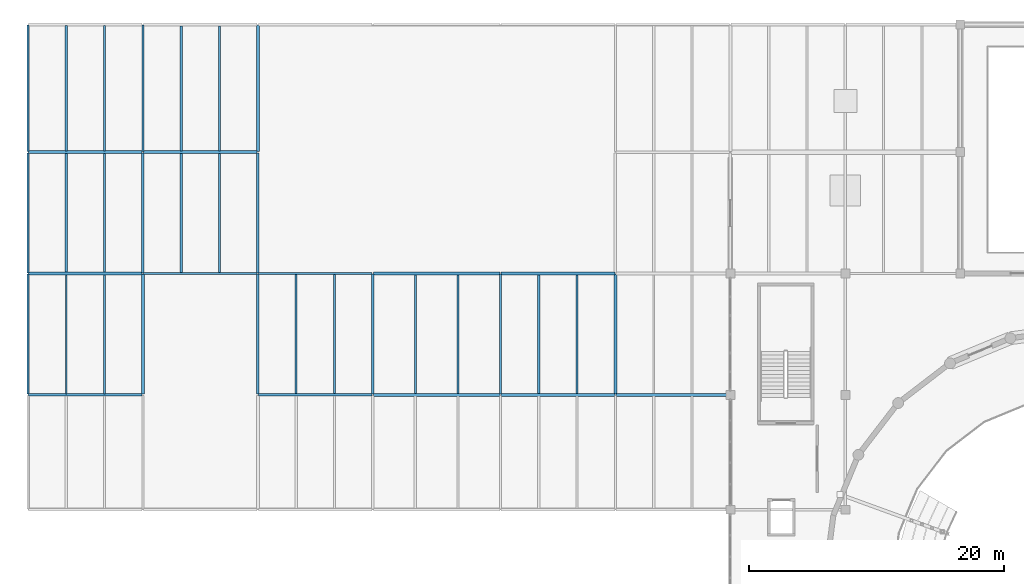
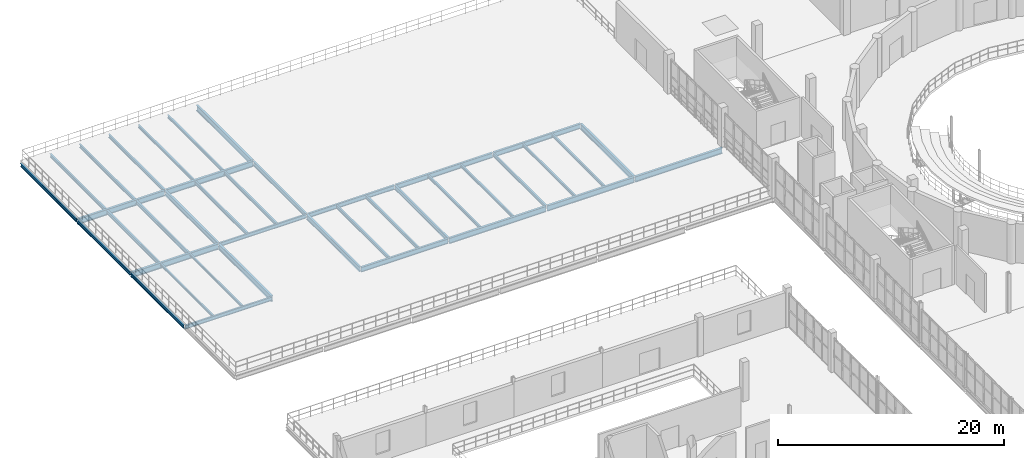
# One storey, part 34 of 73: 40 beams.
"""IFC4 building model written with IfcOpenShell, lengths in metres."""

import ifcopenshell
import ifcopenshell.guid

model = None  # the IFC model being written
_history = None  # IfcOwnerHistory: only IFC2X3 demands one
_inside = {}  # id of a spatial element -> (the spatial element, [elements in it])
_under = {}  # id of a project, library or spatial element -> (it, [spatial elements below it])
_declared = {}  # id of a project -> (the project, [libraries it declares])
_typed = {}  # id of a type object -> (the type object, [elements of that type])
_made_of = {}  # id of a material, layer set ... -> (it, [elements and type objects made of it])


def new_model(schema):
    """Start an empty IFC model of exactly this schema.

    Asked for "IFC4X3", IfcOpenShell would pick the latest addendum, in which some entities
    have other attributes; the version numbers below select the first issue.
    IFC2X3 requires an IfcOwnerHistory on every rooted entity: one is made here for all.
    """
    global model, _history
    if schema == "IFC4X3":
        model = ifcopenshell.file(schema_version=(4, 3, 0, 0))
    else:
        model = ifcopenshell.file(schema=schema)
    _inside.clear()
    _under.clear()
    _declared.clear()
    _typed.clear()
    _made_of.clear()
    _history = None
    if model.schema == "IFC2X3":
        org = make("IfcOrganization", Name="unknown")
        user = make(
            "IfcPersonAndOrganization",
            ThePerson=make("IfcPerson", FamilyName="unknown"),
            TheOrganization=org,
        )
        app = make(
            "IfcApplication",
            ApplicationDeveloper=org,
            Version="unknown",
            ApplicationFullName="unknown",
            ApplicationIdentifier="unknown",
        )
        _history = make(
            "IfcOwnerHistory",
            OwningUser=user,
            OwningApplication=app,
            ChangeAction="ADDED",
            CreationDate=0,
        )
    return model


def make(cls, **values):
    """One entity of the class cls with the attributes given. An attribute that is None is left unset."""
    return model.create_entity(
        cls, **{name: value for name, value in values.items() if value is not None}
    )


def rooted(cls, **values):
    """An entity with a GlobalId (a new one), such as an element, a storey or a relation."""
    return make(cls, GlobalId=ifcopenshell.guid.new(), OwnerHistory=_history, **values)


def si_unit(unit_type, name, prefix=None):
    """IfcSIUnit, for example si_unit("LENGTHUNIT", "METRE", prefix="MILLI")."""
    return make("IfcSIUnit", UnitType=unit_type, Prefix=prefix, Name=name)


def assignment(units):
    """IfcUnitAssignment: the units of a project."""
    return None if units is None else make("IfcUnitAssignment", Units=units)


def point(xyz):
    """IfcCartesianPoint."""
    return None if xyz is None else make("IfcCartesianPoint", Coordinates=xyz)


def direction(xyz):
    """IfcDirection."""
    return None if xyz is None else make("IfcDirection", DirectionRatios=xyz)


def frame(location, z_axis=None, x_axis=None):
    """IfcAxis2Placement3D, a coordinate frame: its origin and axes. An axis left out is left unset."""
    return make(
        "IfcAxis2Placement3D",
        Location=point(location),
        Axis=direction(z_axis),
        RefDirection=direction(x_axis),
    )


def frame_2d(location, x_axis=None):
    """IfcAxis2Placement2D, a coordinate frame in the plane: its origin and x axis."""
    return make(
        "IfcAxis2Placement2D", Location=point(location), RefDirection=direction(x_axis)
    )


def origin():
    """The frame at (0, 0, 0) with its axes left unset."""
    return frame((0.0, 0.0, 0.0))


def origin_2d():
    """The frame at (0, 0) in the plane with its x axis left unset."""
    return frame_2d((0.0, 0.0))


def place(relative_to, where):
    """IfcLocalPlacement: puts the frame where relative to a parent placement (None: the world)."""
    return make(
        "IfcLocalPlacement", PlacementRelTo=relative_to, RelativePlacement=where
    )


def context(
    kind, dimensions, precision=None, world=None, true_north=None, identifier=None
):
    """IfcGeometricRepresentationContext, for example the 3D "Model" context."""
    return make(
        "IfcGeometricRepresentationContext",
        ContextIdentifier=identifier,
        ContextType=kind,
        CoordinateSpaceDimension=dimensions,
        Precision=precision,
        WorldCoordinateSystem=world,
        TrueNorth=true_north,
    )


def subcontext(parent, identifier, kind, view, scale=None):
    """IfcGeometricRepresentationSubContext, for example "Body" below "Model"."""
    return make(
        "IfcGeometricRepresentationSubContext",
        ContextIdentifier=identifier,
        ContextType=kind,
        ParentContext=parent,
        TargetScale=scale,
        TargetView=view,
    )


def project(units=None, contexts=None):
    """IfcProject with its units and contexts."""
    return rooted(
        "IfcProject",
        Name="project",
        RepresentationContexts=contexts,
        UnitsInContext=assignment(units),
    )


def spatial(cls, under=None, at=None, **own):
    """A site, building, storey or space (cls), placed at a placement, below another one or the project."""
    s = rooted(cls, ObjectPlacement=at, **own)
    if under is not None:
        _under.setdefault(under.id(), (under, []))[1].append(s)
    return s


def profile(cls, at=None, kind="AREA", **sizes):
    """A parametric profile (cls). Its sizes go by their IFC names, for example OverallWidth=200.0."""
    return make(cls, ProfileType=kind, Position=at, **sizes)


def i_section(**sizes):
    """IfcIShapeProfileDef."""
    return profile("IfcIShapeProfileDef", **sizes)


def extrude(swept, where, along, depth):
    """IfcExtrudedAreaSolid: the profile swept, set in the frame where, extruded along a direction by depth."""
    return make(
        "IfcExtrudedAreaSolid",
        SweptArea=swept,
        Position=where,
        ExtrudedDirection=direction(along),
        Depth=depth,
    )


def shape(context_of_items, identifier, shape_type, items):
    """IfcShapeRepresentation: the items that make up one representation, for example the "Body"."""
    return make(
        "IfcShapeRepresentation",
        ContextOfItems=context_of_items,
        RepresentationIdentifier=identifier,
        RepresentationType=shape_type,
        Items=items,
    )


def material(Name=None, Category=None):
    """IfcMaterial."""
    return make("IfcMaterial", Name=Name, Category=Category)


def material_profile(
    of_material, cross_section, Name=None, Category=None, Priority=None
):
    """IfcMaterialProfile: a cross section and its material."""
    return make(
        "IfcMaterialProfile",
        Name=Name,
        Material=of_material,
        Profile=cross_section,
        Priority=Priority,
        Category=Category,
    )


def profile_set(profiles, Name=None, composite=None):
    """IfcMaterialProfileSet."""
    return make(
        "IfcMaterialProfileSet",
        Name=Name,
        MaterialProfiles=profiles,
        CompositeProfile=composite,
    )


def made_of(thing, what):
    """Note that an element or type object is made of a material, layer set ...; save() writes the relation."""
    if what is not None:
        _made_of.setdefault(what.id(), (what, []))[1].append(thing)
    return thing


def type_object(cls, material=None, **own):
    """A type object (cls), such as IfcWallType, which elements share."""
    return made_of(rooted(cls, **own), material)


def element(
    cls,
    number,
    at=None,
    inside=None,
    cuts=None,
    type_object=None,
    material=None,
    context=None,
    identifier="Body",
    shape_type=None,
    held_by="IfcProductDefinitionShape",
    body=None,
    shapes=None,
    **own,
):
    """One element of the class cls, such as IfcWall. Its Tag is "e" and its number.

    at: its placement. inside: the storey or other place that contains it. cuts: it is an
    opening in that element (IfcRelVoidsElement). A single representation is given by context,
    identifier, shape_type and body (its items); several are given by shapes. held_by: the class
    of the entity that holds the representations. save() writes the other relations.
    """
    e = rooted(cls, Tag="e%d" % number, ObjectPlacement=at, **own)
    if body is not None:
        shapes = [shape(context, identifier, shape_type, body)]
    if shapes is not None:
        e.Representation = make(held_by, Representations=shapes)
    if inside is not None:
        _inside.setdefault(inside.id(), (inside, []))[1].append(e)
    if cuts is not None:
        rooted(
            "IfcRelVoidsElement", RelatingBuildingElement=cuts, RelatedOpeningElement=e
        )
    if type_object is not None:
        _typed.setdefault(type_object.id(), (type_object, []))[1].append(e)
    return made_of(e, material)


def aggregate(whole, parts):
    """IfcRelAggregates: a whole, such as a stair, and the parts it consists of."""
    return rooted("IfcRelAggregates", RelatingObject=whole, RelatedObjects=parts)


def save(model, path):
    """Write the relations noted so far, then the file.

    IfcRelAggregates (storeys below a building ...), IfcRelContainedInSpatialStructure (elements
    in a storey), IfcRelDefinesByType, IfcRelAssociatesMaterial and IfcRelDeclares: one each for
    every whole, place, type object, material and project.
    """
    for whole, parts in _under.values():
        aggregate(whole, parts)
    for where, things in _inside.values():
        rooted(
            "IfcRelContainedInSpatialStructure",
            RelatedElements=things,
            RelatingStructure=where,
        )
    for kind, things in _typed.values():
        rooted("IfcRelDefinesByType", RelatedObjects=things, RelatingType=kind)
    for what, things in _made_of.values():
        rooted("IfcRelAssociatesMaterial", RelatedObjects=things, RelatingMaterial=what)
    for by, libraries in _declared.values():
        rooted("IfcRelDeclares", RelatingContext=by, RelatedDefinitions=libraries)
    model.write(path)


model = new_model("IFC4")

# Units and contexts
model_context = context("Model", 3, precision=1e-05, world=origin(), true_north=direction((0.0, 1.0)))
body_context = subcontext(model_context, "Body", "Model", "MODEL_VIEW")
ifc_project = project(units=[si_unit("LENGTHUNIT", "METRE"), si_unit("AREAUNIT", "SQUARE_METRE"), si_unit("VOLUMEUNIT", "CUBIC_METRE"), si_unit("PLANEANGLEUNIT", "RADIAN"), si_unit("MASSUNIT", "GRAM", prefix="KILO")], contexts=[model_context])

# Site, building, storey
site_placement = place(None, origin())
site = spatial("IfcSite", under=ifc_project, at=site_placement, CompositionType="ELEMENT")
building_placement = place(site_placement, origin())
building = spatial("IfcBuilding", under=site, at=building_placement, Name="Marnock Terrace Opera House", CompositionType="ELEMENT")
storey_placement = place(building_placement, frame((0.0, 0.0, 14.699951171875)))
storey = spatial("IfcBuildingStorey", under=building, at=storey_placement, Name="L03", CompositionType="ELEMENT", Elevation=14.699951171875)

# Beams
ifc_material = material(Name="Steel Grade 350 (AS/NZS 3679.1)", Category="steel")
ifc_material_profile_1 = material_profile(ifc_material, i_section(OverallWidth=0.1708984375, OverallDepth=0.355712890625, WebThickness=0.00732421875, FlangeThickness=0.011474609375, FilletRadius=0.011474609375, at=origin_2d()))
ifc_profile_set_1 = profile_set([ifc_material_profile_1], Name="Steel Grade 350 (AS/NZS 3679.1)")
beam_type_1 = type_object("IfcBeamType", Name="BM-GIRD-360", PredefinedType="BEAM", material=ifc_profile_set_1)
beam_1_placement = place(storey_placement, frame((9.0, 94.050048828125, -0.44775390625), z_axis=(0.0, 1.0, 0.0), x_axis=(-1.0, 0.0, 0.0)))
element("IfcBeam", 1, at=beam_1_placement, inside=storey, type_object=beam_type_1, Name="L03 girder (X=9.0, 94.0..104.0)", PredefinedType="BEAM", context=body_context, shape_type="SweptSolid", body=[
    extrude(i_section(OverallWidth=0.1708984375, OverallDepth=0.355712890625, WebThickness=0.00732421875, FlangeThickness=0.011474609375, FilletRadius=0.011474609375, at=origin_2d()), origin(), (0.0, 0.0, 1.0), 9.89990234375),
])
beam_2_placement = place(storey_placement, frame((37.0, 75.050048828125, -0.44775390625), z_axis=(0.0, 1.0, 0.0), x_axis=(-1.0, 0.0, 0.0)))
element("IfcBeam", 2, at=beam_2_placement, inside=storey, type_object=beam_type_1, Name="L03 girder (X=37.0, 75.0..84.5)", PredefinedType="BEAM", context=body_context, shape_type="SweptSolid", body=[
    extrude(i_section(OverallWidth=0.1708984375, OverallDepth=0.355712890625, WebThickness=0.00732421875, FlangeThickness=0.011474609375, FilletRadius=0.011474609375, at=origin_2d()), origin(), (0.0, 0.0, 1.0), 9.39990234375),
])
ifc_material_profile_2 = material_profile(ifc_material, i_section(OverallWidth=0.177978515625, OverallDepth=0.402587890625, WebThickness=0.007568359375, FlangeThickness=0.010986328125, FilletRadius=0.011474609375, at=origin_2d()))
ifc_profile_set_2 = profile_set([ifc_material_profile_2], Name="Steel Grade 350 (AS/NZS 3679.1)")
beam_type_2 = type_object("IfcBeamType", Name="BM-GIRD-410", PredefinedType="BEAM", material=ifc_profile_set_2)
for number, where, z_axis, x_axis, name in (
    (3, (0.050048828125, 75.0, -0.47119140625), (1.0, 0.0, 0.0), (0.0, 1.0, 0.0), "L03 girder (0.0..9.0, Y=75.0)"),
    (4, (9.050048828125, 84.5, -0.47119140625), (1.0, 0.0, 0.0), (0.0, 1.0, 0.0), "L03 girder (9.0..18.0, Y=84.5)"),
):
    element("IfcBeam", number, at=place(storey_placement, frame(where, z_axis=z_axis, x_axis=x_axis)), inside=storey, type_object=beam_type_2, Name=name, PredefinedType="BEAM", context=body_context, shape_type="SweptSolid", body=[
        extrude(i_section(OverallWidth=0.177978515625, OverallDepth=0.402587890625, WebThickness=0.007568359375, FlangeThickness=0.010986328125, FilletRadius=0.011474609375, at=origin_2d()), origin(), (0.0, 0.0, 1.0), 8.89990234375),
    ])
ifc_material_profile_3 = material_profile(ifc_material, i_section(OverallWidth=0.19091796875, OverallDepth=0.46044921875, WebThickness=0.010009765625, FlangeThickness=0.01611328125, FilletRadius=0.011474609375, at=origin_2d()))
ifc_profile_set_3 = profile_set([ifc_material_profile_3], Name="Steel Grade 350 (AS/NZS 3679.1)")
beam_type_3 = type_object("IfcBeamType", Name="BM-GIRD-460A", PredefinedType="BEAM", material=ifc_profile_set_3)
beam_3_placement = place(storey_placement, frame((18.050048828125, 84.5, -0.500244140625), z_axis=(1.0, 0.0, 0.0), x_axis=(0.0, 1.0, 0.0)))
element("IfcBeam", 5, at=beam_3_placement, inside=storey, type_object=beam_type_3, Name="L03 girder (18.0..27.0, Y=84.5)", PredefinedType="BEAM", context=body_context, shape_type="SweptSolid", body=[
    extrude(i_section(OverallWidth=0.19091796875, OverallDepth=0.46044921875, WebThickness=0.010009765625, FlangeThickness=0.01611328125, FilletRadius=0.011474609375, at=origin_2d()), origin(), (0.0, 0.0, 1.0), 8.89990234375),
])
ifc_material_profile_4 = material_profile(ifc_material, i_section(OverallWidth=0.18994140625, OverallDepth=0.45751953125, WebThickness=0.009033203125, FlangeThickness=0.014404296875, FilletRadius=0.011474609375, at=origin_2d()))
ifc_profile_set_4 = profile_set([ifc_material_profile_4], Name="Steel Grade 350 (AS/NZS 3679.1)")
beam_type_4 = type_object("IfcBeamType", Name="BM-GIRD-460B", PredefinedType="BEAM", material=ifc_profile_set_4)
for number, where, z_axis, x_axis, name in (
    (6, (18.0, 84.550048828125, -0.49853515625), (0.0, 1.0, 0.0), (-1.0, 0.0, 0.0), "L03 girder (X=18.0, 84.5..94.0)"),
    (7, (27.0, 75.050048828125, -0.49853515625), (0.0, 1.0, 0.0), (-1.0, 0.0, 0.0), "L03 girder (X=27.0, 75.0..84.5)"),
):
    element("IfcBeam", number, at=place(storey_placement, frame(where, z_axis=z_axis, x_axis=x_axis)), inside=storey, type_object=beam_type_4, Name=name, PredefinedType="BEAM", context=body_context, shape_type="SweptSolid", body=[
        extrude(i_section(OverallWidth=0.18994140625, OverallDepth=0.45751953125, WebThickness=0.009033203125, FlangeThickness=0.014404296875, FilletRadius=0.011474609375, at=origin_2d()), origin(), (0.0, 0.0, 1.0), 9.39990234375),
    ])
ifc_material_profile_5 = material_profile(ifc_material, i_section(OverallWidth=0.208984375, OverallDepth=0.532958984375, WebThickness=0.01025390625, FlangeThickness=0.015625, FilletRadius=0.013916015625, at=origin_2d()))
ifc_profile_set_5 = profile_set([ifc_material_profile_5], Name="Steel Grade 350 (AS/NZS 3679.1)")
beam_type_5 = type_object("IfcBeamType", Name="BM-GIRD-530A", PredefinedType="BEAM", material=ifc_profile_set_5)
beam_4_placement = place(storey_placement, frame((18.050048828125, 75.0, -0.536376953125), z_axis=(1.0, 0.0, 0.0), x_axis=(0.0, 1.0, 0.0)))
element("IfcBeam", 8, at=beam_4_placement, inside=storey, type_object=beam_type_5, Name="L03 girder (18.0..27.0, Y=75.0)", PredefinedType="BEAM", context=body_context, shape_type="SweptSolid", body=[
    extrude(i_section(OverallWidth=0.208984375, OverallDepth=0.532958984375, WebThickness=0.01025390625, FlangeThickness=0.015625, FilletRadius=0.013916015625, at=origin_2d()), origin(), (0.0, 0.0, 1.0), 8.89990234375),
])
beam_5_placement = place(storey_placement, frame((27.050048828125, 84.5, -0.536376953125), z_axis=(1.0, 0.0, 0.0), x_axis=(0.0, 1.0, 0.0)))
element("IfcBeam", 9, at=beam_5_placement, inside=storey, type_object=beam_type_5, Name="L03 girder (27.0..37.0, Y=84.5)", PredefinedType="BEAM", context=body_context, shape_type="SweptSolid", body=[
    extrude(i_section(OverallWidth=0.208984375, OverallDepth=0.532958984375, WebThickness=0.01025390625, FlangeThickness=0.015625, FilletRadius=0.013916015625, at=origin_2d()), origin(), (0.0, 0.0, 1.0), 9.89990234375),
])
beam_6_placement = place(storey_placement, frame((37.050048828125, 84.5, -0.536376953125), z_axis=(1.0, 0.0, 0.0), x_axis=(0.0, 1.0, 0.0)))
element("IfcBeam", 10, at=beam_6_placement, inside=storey, type_object=beam_type_5, Name="L03 girder (37.0..46.0, Y=84.5)", PredefinedType="BEAM", context=body_context, shape_type="SweptSolid", body=[
    extrude(i_section(OverallWidth=0.208984375, OverallDepth=0.532958984375, WebThickness=0.01025390625, FlangeThickness=0.015625, FilletRadius=0.013916015625, at=origin_2d()), origin(), (0.0, 0.0, 1.0), 8.89990234375),
])
ifc_material_profile_6 = material_profile(ifc_material, i_section(OverallWidth=0.208984375, OverallDepth=0.528076171875, WebThickness=0.009521484375, FlangeThickness=0.01318359375, FilletRadius=0.013916015625, at=origin_2d()))
ifc_profile_set_6 = profile_set([ifc_material_profile_6], Name="Steel Grade 350 (AS/NZS 3679.1)")
beam_type_6 = type_object("IfcBeamType", Name="BM-GIRD-530B", PredefinedType="BEAM", material=ifc_profile_set_6)
for number, where, z_axis, x_axis, name in (
    (11, (9.0, 84.550048828125, -0.533935546875), (0.0, 1.0, 0.0), (-1.0, 0.0, 0.0), "L03 girder (X=9.0, 84.5..94.0)"),
    (12, (18.0, 75.050048828125, -0.533935546875), (0.0, 1.0, 0.0), (-1.0, 0.0, 0.0), "L03 girder (X=18.0, 75.0..84.5)"),
):
    element("IfcBeam", number, at=place(storey_placement, frame(where, z_axis=z_axis, x_axis=x_axis)), inside=storey, type_object=beam_type_6, Name=name, PredefinedType="BEAM", context=body_context, shape_type="SweptSolid", body=[
        extrude(i_section(OverallWidth=0.208984375, OverallDepth=0.528076171875, WebThickness=0.009521484375, FlangeThickness=0.01318359375, FilletRadius=0.013916015625, at=origin_2d()), origin(), (0.0, 0.0, 1.0), 9.39990234375),
    ])
ifc_material_profile_7 = material_profile(ifc_material, i_section(OverallWidth=0.22900390625, OverallDepth=0.611572265625, WebThickness=0.011962890625, FlangeThickness=0.01953125, FilletRadius=0.013916015625, at=origin_2d()))
ifc_profile_set_7 = profile_set([ifc_material_profile_7], Name="Steel Grade 350 (AS/NZS 3679.1)")
beam_type_7 = type_object("IfcBeamType", Name="BM-GIRD-610A", PredefinedType="BEAM", material=ifc_profile_set_7)
for number, where, z_axis, x_axis, name in (
    (13, (46.050048828125, 75.0, -0.57568359375), (1.0, 0.0, 0.0), (0.0, 1.0, 0.0), "L03 girder (46.0..55.0, Y=75.0)"),
    (14, (0.050048828125, 84.5, -0.57568359375), (1.0, 0.0, 0.0), (0.0, 1.0, 0.0), "L03 girder (0.0..9.0, Y=84.5)"),
    (15, (9.050048828125, 94.0, -0.57568359375), (1.0, 0.0, 0.0), (0.0, 1.0, 0.0), "L03 girder (9.0..18.0, Y=94.0)"),
):
    element("IfcBeam", number, at=place(storey_placement, frame(where, z_axis=z_axis, x_axis=x_axis)), inside=storey, type_object=beam_type_7, Name=name, PredefinedType="BEAM", context=body_context, shape_type="SweptSolid", body=[
        extrude(i_section(OverallWidth=0.22900390625, OverallDepth=0.611572265625, WebThickness=0.011962890625, FlangeThickness=0.01953125, FilletRadius=0.013916015625, at=origin_2d()), origin(), (0.0, 0.0, 1.0), 8.89990234375),
    ])
ifc_material_profile_8 = material_profile(ifc_material, i_section(OverallWidth=0.22802734375, OverallDepth=0.60693359375, WebThickness=0.01123046875, FlangeThickness=0.017333984375, FilletRadius=0.013916015625, at=origin_2d()))
ifc_profile_set_8 = profile_set([ifc_material_profile_8], Name="Steel Grade 350 (AS/NZS 3679.1)")
beam_type_8 = type_object("IfcBeamType", Name="BM-GIRD-610B", PredefinedType="BEAM", material=ifc_profile_set_8)
beam_7_placement = place(storey_placement, frame((27.050048828125, 75.0, -0.573486328125), z_axis=(1.0, 0.0, 0.0), x_axis=(0.0, 1.0, 0.0)))
element("IfcBeam", 16, at=beam_7_placement, inside=storey, type_object=beam_type_8, Name="L03 girder (27.0..37.0, Y=75.0)", PredefinedType="BEAM", context=body_context, shape_type="SweptSolid", body=[
    extrude(i_section(OverallWidth=0.22802734375, OverallDepth=0.60693359375, WebThickness=0.01123046875, FlangeThickness=0.017333984375, FilletRadius=0.013916015625, at=origin_2d()), origin(), (0.0, 0.0, 1.0), 9.89990234375),
])
for number, where, z_axis, x_axis, name in (
    (17, (37.050048828125, 75.0, -0.573486328125), (1.0, 0.0, 0.0), (0.0, 1.0, 0.0), "L03 girder (37.0..46.0, Y=75.0)"),
    (18, (0.050048828125, 94.0, -0.573486328125), (1.0, 0.0, 0.0), (0.0, 1.0, 0.0), "L03 girder (0.0..9.0, Y=94.0)"),
):
    element("IfcBeam", number, at=place(storey_placement, frame(where, z_axis=z_axis, x_axis=x_axis)), inside=storey, type_object=beam_type_8, Name=name, PredefinedType="BEAM", context=body_context, shape_type="SweptSolid", body=[
        extrude(i_section(OverallWidth=0.22802734375, OverallDepth=0.60693359375, WebThickness=0.01123046875, FlangeThickness=0.017333984375, FilletRadius=0.013916015625, at=origin_2d()), origin(), (0.0, 0.0, 1.0), 8.89990234375),
    ])
ifc_material_profile_9 = material_profile(ifc_material, i_section(OverallWidth=0.22802734375, OverallDepth=0.60205078125, WebThickness=0.010498046875, FlangeThickness=0.014892578125, FilletRadius=0.013916015625, at=origin_2d()))
ifc_profile_set_9 = profile_set([ifc_material_profile_9], Name="Steel Grade 350 (AS/NZS 3679.1)")
beam_type_9 = type_object("IfcBeamType", Name="BM-GIRD-610C", PredefinedType="BEAM", material=ifc_profile_set_9)
beam_8_placement = place(storey_placement, frame((9.0, 75.050048828125, -0.571044921875), z_axis=(0.0, 1.0, 0.0), x_axis=(-1.0, 0.0, 0.0)))
element("IfcBeam", 19, at=beam_8_placement, inside=storey, type_object=beam_type_9, Name="L03 girder (X=9.0, 75.0..84.5)", PredefinedType="BEAM", context=body_context, shape_type="SweptSolid", body=[
    extrude(i_section(OverallWidth=0.22802734375, OverallDepth=0.60205078125, WebThickness=0.010498046875, FlangeThickness=0.014892578125, FilletRadius=0.013916015625, at=origin_2d()), origin(), (0.0, 0.0, 1.0), 9.39990234375),
])
beam_9_placement = place(storey_placement, frame((18.0, 94.050048828125, -0.571044921875), z_axis=(0.0, 1.0, 0.0), x_axis=(-1.0, 0.0, 0.0)))
element("IfcBeam", 20, at=beam_9_placement, inside=storey, type_object=beam_type_9, Name="L03 girder (X=18.0, 94.0..104.0)", PredefinedType="BEAM", context=body_context, shape_type="SweptSolid", body=[
    extrude(i_section(OverallWidth=0.22802734375, OverallDepth=0.60205078125, WebThickness=0.010498046875, FlangeThickness=0.014892578125, FilletRadius=0.013916015625, at=origin_2d()), origin(), (0.0, 0.0, 1.0), 9.89990234375),
])
beam_10_placement = place(storey_placement, frame((46.0, 75.050048828125, -0.571044921875), z_axis=(0.0, 1.0, 0.0), x_axis=(-1.0, 0.0, 0.0)))
element("IfcBeam", 21, at=beam_10_placement, inside=storey, type_object=beam_type_9, Name="L03 girder (X=46.0, 75.0..84.5)", PredefinedType="BEAM", context=body_context, shape_type="SweptSolid", body=[
    extrude(i_section(OverallWidth=0.22802734375, OverallDepth=0.60205078125, WebThickness=0.010498046875, FlangeThickness=0.014892578125, FilletRadius=0.013916015625, at=origin_2d()), origin(), (0.0, 0.0, 1.0), 9.39990234375),
])
ifc_material_profile_10 = material_profile(ifc_material, i_section(OverallWidth=0.14599609375, OverallDepth=0.256103515625, WebThickness=0.00634765625, FlangeThickness=0.010986328125, FilletRadius=0.0087890625, at=origin_2d()))
ifc_profile_set_10 = profile_set([ifc_material_profile_10], Name="Steel Grade 350 (AS/NZS 3679.1)")
beam_type_10 = type_object("IfcBeamType", Name="BM-JOIST-250", PredefinedType="JOIST", material=ifc_profile_set_10)
for number, where, z_axis, x_axis, name in (
    (22, (3.0, 75.083984375, -0.39794921875), (0.0, 1.0, 0.0), (-1.0, 0.0, 0.0), "L03 secondary joist 0.9.1"),
    (23, (6.0, 75.083984375, -0.39794921875), (0.0, 1.0, 0.0), (-1.0, 0.0, 0.0), "L03 secondary joist 0.9.2"),
):
    element("IfcBeam", number, at=place(storey_placement, frame(where, z_axis=z_axis, x_axis=x_axis)), inside=storey, type_object=beam_type_10, Name=name, PredefinedType="JOIST", context=body_context, shape_type="SweptSolid", body=[
        extrude(i_section(OverallWidth=0.14599609375, OverallDepth=0.256103515625, WebThickness=0.00634765625, FlangeThickness=0.010986328125, FilletRadius=0.0087890625, at=origin_2d()), origin(), (0.0, 0.0, 1.0), 9.306396484375),
    ])
ifc_material_profile_11 = material_profile(ifc_material, i_section(OverallWidth=0.166015625, OverallDepth=0.30712890625, WebThickness=0.006591796875, FlangeThickness=0.01171875, FilletRadius=0.011474609375, at=origin_2d()))
ifc_profile_set_11 = profile_set([ifc_material_profile_11], Name="Steel Grade 350 (AS/NZS 3679.1)")
beam_type_11 = type_object("IfcBeamType", Name="BM-JOIST-310A", PredefinedType="JOIST", material=ifc_profile_set_11)
for number, where, z_axis, x_axis, name in (
    (24, (12.0, 94.109619140625, -0.423583984375), (0.0, 1.0, 0.0), (-1.0, 0.0, 0.0), "L03 secondary joist 1.11.1"),
    (25, (15.0, 94.109619140625, -0.423583984375), (0.0, 1.0, 0.0), (-1.0, 0.0, 0.0), "L03 secondary joist 1.11.2"),
):
    element("IfcBeam", number, at=place(storey_placement, frame(where, z_axis=z_axis, x_axis=x_axis)), inside=storey, type_object=beam_type_11, Name=name, PredefinedType="JOIST", context=body_context, shape_type="SweptSolid", body=[
        extrude(i_section(OverallWidth=0.166015625, OverallDepth=0.30712890625, WebThickness=0.006591796875, FlangeThickness=0.01171875, FilletRadius=0.011474609375, at=origin_2d()), origin(), (0.0, 0.0, 1.0), 9.781494140625),
    ])
for number, where, z_axis, x_axis, name in (
    (26, (30.333251953125, 75.10888671875, -0.423583984375), (0.0, 1.0, 0.0), (-1.0, 0.0, 0.0), "L03 secondary joist 3.9.1"),
    (27, (33.666748046875, 75.10888671875, -0.423583984375), (0.0, 1.0, 0.0), (-1.0, 0.0, 0.0), "L03 secondary joist 3.9.2"),
):
    element("IfcBeam", number, at=place(storey_placement, frame(where, z_axis=z_axis, x_axis=x_axis)), inside=storey, type_object=beam_type_11, Name=name, PredefinedType="JOIST", context=body_context, shape_type="SweptSolid", body=[
        extrude(i_section(OverallWidth=0.166015625, OverallDepth=0.30712890625, WebThickness=0.006591796875, FlangeThickness=0.01171875, FilletRadius=0.011474609375, at=origin_2d()), origin(), (0.0, 0.0, 1.0), 9.29150390625),
    ])
ifc_material_profile_12 = material_profile(ifc_material, i_section(OverallWidth=0.1650390625, OverallDepth=0.3037109375, WebThickness=0.006103515625, FlangeThickness=0.01025390625, FilletRadius=0.011474609375, at=origin_2d()))
ifc_profile_set_12 = profile_set([ifc_material_profile_12], Name="Steel Grade 350 (AS/NZS 3679.1)")
beam_type_12 = type_object("IfcBeamType", Name="BM-JOIST-310B", PredefinedType="JOIST", material=ifc_profile_set_12)
for number, where, z_axis, x_axis, name in (
    (28, (40.0, 75.10888671875, -0.421875), (0.0, 1.0, 0.0), (-1.0, 0.0, 0.0), "L03 secondary joist 4.9.1"),
    (29, (43.0, 75.10888671875, -0.421875), (0.0, 1.0, 0.0), (-1.0, 0.0, 0.0), "L03 secondary joist 4.9.2"),
):
    element("IfcBeam", number, at=place(storey_placement, frame(where, z_axis=z_axis, x_axis=x_axis)), inside=storey, type_object=beam_type_12, Name=name, PredefinedType="JOIST", context=body_context, shape_type="SweptSolid", body=[
        extrude(i_section(OverallWidth=0.1650390625, OverallDepth=0.3037109375, WebThickness=0.006103515625, FlangeThickness=0.01025390625, FilletRadius=0.011474609375, at=origin_2d()), origin(), (0.0, 0.0, 1.0), 9.29150390625),
    ])
ifc_material_profile_13 = material_profile(ifc_material, i_section(OverallWidth=0.172119140625, OverallDepth=0.358642578125, WebThickness=0.008056640625, FlangeThickness=0.012939453125, FilletRadius=0.011474609375, at=origin_2d()))
ifc_profile_set_13 = profile_set([ifc_material_profile_13], Name="Steel Grade 350 (AS/NZS 3679.1)")
beam_type_13 = type_object("IfcBeamType", Name="BM-JOIST-360", PredefinedType="JOIST", material=ifc_profile_set_13)
for number, where, z_axis, x_axis, name in (
    (30, (3.0, 94.10888671875, -0.44921875), (0.0, 1.0, 0.0), (-1.0, 0.0, 0.0), "L03 secondary joist 0.11.1"),
    (31, (6.0, 94.10888671875, -0.44921875), (0.0, 1.0, 0.0), (-1.0, 0.0, 0.0), "L03 secondary joist 0.11.2"),
):
    element("IfcBeam", number, at=place(storey_placement, frame(where, z_axis=z_axis, x_axis=x_axis)), inside=storey, type_object=beam_type_13, Name=name, PredefinedType="JOIST", context=body_context, shape_type="SweptSolid", body=[
        extrude(i_section(OverallWidth=0.172119140625, OverallDepth=0.358642578125, WebThickness=0.008056640625, FlangeThickness=0.012939453125, FilletRadius=0.011474609375, at=origin_2d()), origin(), (0.0, 0.0, 1.0), 9.79150390625),
    ])
for number, where, z_axis, x_axis, name in (
    (32, (12.0, 84.583984375, -0.44921875), (0.0, 1.0, 0.0), (-1.0, 0.0, 0.0), "L03 secondary joist 1.10.1"),
    (33, (15.0, 84.583984375, -0.44921875), (0.0, 1.0, 0.0), (-1.0, 0.0, 0.0), "L03 secondary joist 1.10.2"),
):
    element("IfcBeam", number, at=place(storey_placement, frame(where, z_axis=z_axis, x_axis=x_axis)), inside=storey, type_object=beam_type_13, Name=name, PredefinedType="JOIST", context=body_context, shape_type="SweptSolid", body=[
        extrude(i_section(OverallWidth=0.172119140625, OverallDepth=0.358642578125, WebThickness=0.008056640625, FlangeThickness=0.012939453125, FilletRadius=0.011474609375, at=origin_2d()), origin(), (0.0, 0.0, 1.0), 9.306396484375),
    ])
for number, where, z_axis, x_axis, name in (
    (34, (21.0, 75.099609375, -0.44921875), (0.0, 1.0, 0.0), (-1.0, 0.0, 0.0), "L03 secondary joist 2.9.1"),
    (35, (24.0, 75.099609375, -0.44921875), (0.0, 1.0, 0.0), (-1.0, 0.0, 0.0), "L03 secondary joist 2.9.2"),
):
    element("IfcBeam", number, at=place(storey_placement, frame(where, z_axis=z_axis, x_axis=x_axis)), inside=storey, type_object=beam_type_13, Name=name, PredefinedType="JOIST", context=body_context, shape_type="SweptSolid", body=[
        extrude(i_section(OverallWidth=0.172119140625, OverallDepth=0.358642578125, WebThickness=0.008056640625, FlangeThickness=0.012939453125, FilletRadius=0.011474609375, at=origin_2d()), origin(), (0.0, 0.0, 1.0), 9.309814453125),
    ])
ifc_material_profile_14 = material_profile(ifc_material, i_section(OverallWidth=0.177978515625, OverallDepth=0.406494140625, WebThickness=0.0078125, FlangeThickness=0.0126953125, FilletRadius=0.011474609375, at=origin_2d()))
ifc_profile_set_14 = profile_set([ifc_material_profile_14], Name="Steel Grade 350 (AS/NZS 3679.1)")
beam_type_14 = type_object("IfcBeamType", Name="BM-JOIST-410", PredefinedType="JOIST", material=ifc_profile_set_14)
for number, where, z_axis, x_axis, name in (
    (36, (3.0, 84.609619140625, -0.47314453125), (0.0, 1.0, 0.0), (-1.0, 0.0, 0.0), "L03 secondary joist 0.10.1"),
    (37, (6.0, 84.609619140625, -0.47314453125), (0.0, 1.0, 0.0), (-1.0, 0.0, 0.0), "L03 secondary joist 0.10.2"),
):
    element("IfcBeam", number, at=place(storey_placement, frame(where, z_axis=z_axis, x_axis=x_axis)), inside=storey, type_object=beam_type_14, Name=name, PredefinedType="JOIST", context=body_context, shape_type="SweptSolid", body=[
        extrude(i_section(OverallWidth=0.177978515625, OverallDepth=0.406494140625, WebThickness=0.0078125, FlangeThickness=0.0126953125, FilletRadius=0.011474609375, at=origin_2d()), origin(), (0.0, 0.0, 1.0), 9.281494140625),
    ])
ifc_material_profile_15 = material_profile(ifc_material, i_section(OverallWidth=0.172119140625, OverallDepth=0.358642578125, WebThickness=0.008056640625, FlangeThickness=0.012939453125, FilletRadius=0.011474609375, at=origin_2d()))
ifc_profile_set_15 = profile_set([ifc_material_profile_15], Name="Steel Grade 350 (AS/NZS 3679.1)")
beam_type_15 = type_object("IfcBeamType", Name="BM-SPAN-360", PredefinedType="SPANDREL", material=ifc_profile_set_15)
for number, where, z_axis, x_axis, name in (
    (38, (0.0, 75.050048828125, -0.44921875), (0.0, 1.0, 0.0), (-1.0, 0.0, 0.0), "L03 girder (X=0.0, 75.0..84.5)"),
    (39, (0.0, 84.550048828125, -0.44921875), (0.0, 1.0, 0.0), (-1.0, 0.0, 0.0), "L03 girder (X=0.0, 84.5..94.0)"),
):
    element("IfcBeam", number, at=place(storey_placement, frame(where, z_axis=z_axis, x_axis=x_axis)), inside=storey, type_object=beam_type_15, Name=name, PredefinedType="SPANDREL", context=body_context, shape_type="SweptSolid", body=[
        extrude(i_section(OverallWidth=0.172119140625, OverallDepth=0.358642578125, WebThickness=0.008056640625, FlangeThickness=0.012939453125, FilletRadius=0.011474609375, at=origin_2d()), origin(), (0.0, 0.0, 1.0), 9.39990234375),
    ])
beam_11_placement = place(storey_placement, frame((0.0, 94.050048828125, -0.44921875), z_axis=(0.0, 1.0, 0.0), x_axis=(-1.0, 0.0, 0.0)))
element("IfcBeam", 40, at=beam_11_placement, inside=storey, type_object=beam_type_15, Name="L03 girder (X=0.0, 94.0..104.0)", PredefinedType="SPANDREL", context=body_context, shape_type="SweptSolid", body=[
    extrude(i_section(OverallWidth=0.172119140625, OverallDepth=0.358642578125, WebThickness=0.008056640625, FlangeThickness=0.012939453125, FilletRadius=0.011474609375, at=origin_2d()), origin(), (0.0, 0.0, 1.0), 9.89990234375),
])

save(model, "model.ifc")
